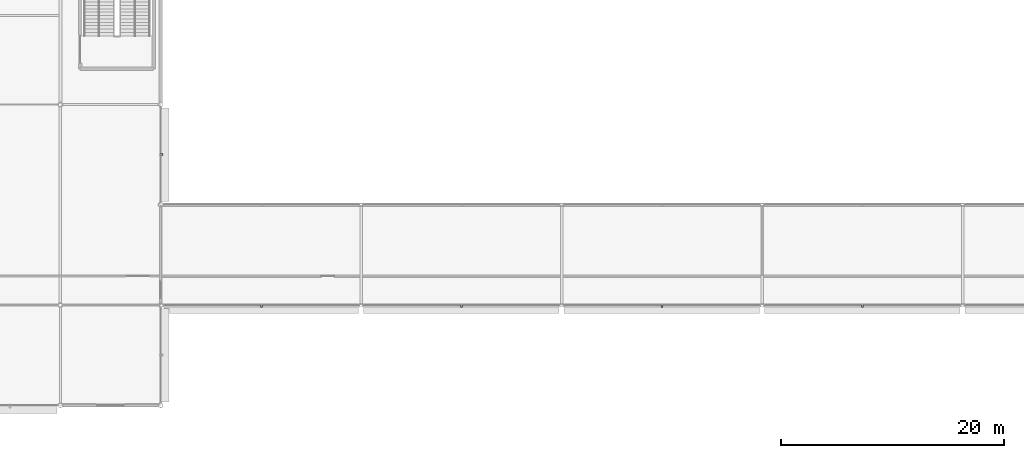
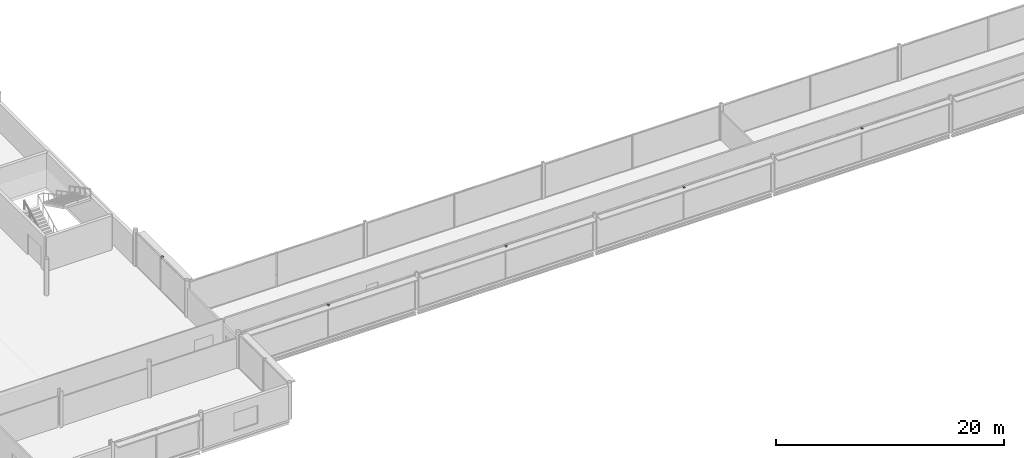
# One storey, part 67 of 96: 5 discrete accessories.
"""IFC4 building model written with IfcOpenShell, lengths in metres."""

from ifc_helpers import new_model, si_unit, direction, frame, origin, origin_2d, place, context, subcontext, project, spatial, rectangle, extrude, material, type_object, element, save


model = new_model("IFC4")

# Units and contexts
model_context = context("Model", 3, precision=1e-05, world=origin(), true_north=direction((0.0, 1.0)))
body_context = subcontext(model_context, "Body", "Model", "MODEL_VIEW")
ifc_project = project(units=[si_unit("LENGTHUNIT", "METRE"), si_unit("AREAUNIT", "SQUARE_METRE"), si_unit("VOLUMEUNIT", "CUBIC_METRE"), si_unit("PLANEANGLEUNIT", "RADIAN"), si_unit("MASSUNIT", "GRAM", prefix="KILO")], contexts=[model_context])

# Site, building, storey
site_placement = place(None, origin())
site = spatial("IfcSite", under=ifc_project, at=site_placement, CompositionType="ELEMENT")
building_placement = place(site_placement, origin())
building = spatial("IfcBuilding", under=site, at=building_placement, Name="Kisiwana Market Hall", CompositionType="ELEMENT")
storey_placement = place(building_placement, frame((0.0, 0.0, 25.5)))
storey = spatial("IfcBuildingStorey", under=building, at=storey_placement, Name="L05", CompositionType="ELEMENT", Elevation=25.5)

# Discrete accessories
ifc_material = material(Name="Steel S355", Category="steel")
discrete_accessory_type = type_object("IfcDiscreteAccessoryType", Name="ACC-BRACKET-STL", PredefinedType="BRACKET", material=ifc_material)
for number, where, z_axis, x_axis, name in (
    (1, (54.0390625, 17.889892578125, 3.44482421875), (0.0, 0.0, 1.0), (1.0, 0.0, 0.0), "Sunshade steel bracket BRK-079"),
    (2, (72.0, 17.889892578125, 3.44482421875), (0.0, 0.0, 1.0), (1.0, 0.0, 0.0), "Sunshade steel bracket BRK-080"),
    (3, (90.0, 17.889892578125, 3.44482421875), (0.0, 0.0, 1.0), (1.0, 0.0, 0.0), "Sunshade steel bracket BRK-081"),
    (4, (108.0, 17.889892578125, 3.44482421875), (0.0, 0.0, 1.0), (1.0, 0.0, 0.0), "Sunshade steel bracket BRK-082"),
    (5, (45.110107421875, 31.5, 3.44482421875), (0.0, 0.0, 1.0), (0.0, 1.0, 0.0), "Sunshade steel bracket BRK-093"),
):
    element("IfcDiscreteAccessory", number, at=place(storey_placement, frame(where, z_axis=z_axis, x_axis=x_axis)), inside=storey, type_object=discrete_accessory_type, Name=name, PredefinedType="BRACKET", context=body_context, shape_type="SweptSolid", body=[
        extrude(rectangle(XDim=0.179931640625, YDim=0.239990234375, at=origin_2d()), origin(), (0.0, 0.0, 1.0), 0.179931640625),
    ])

save(model, "model.ifc")
